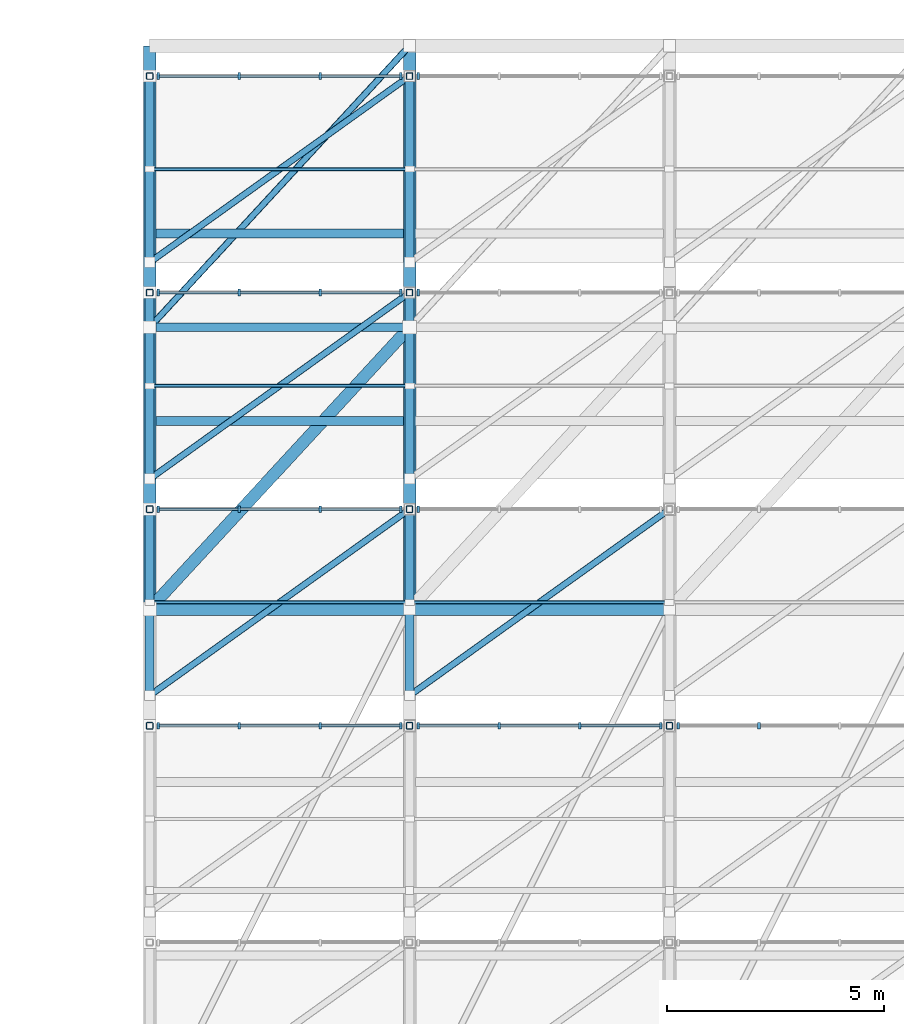
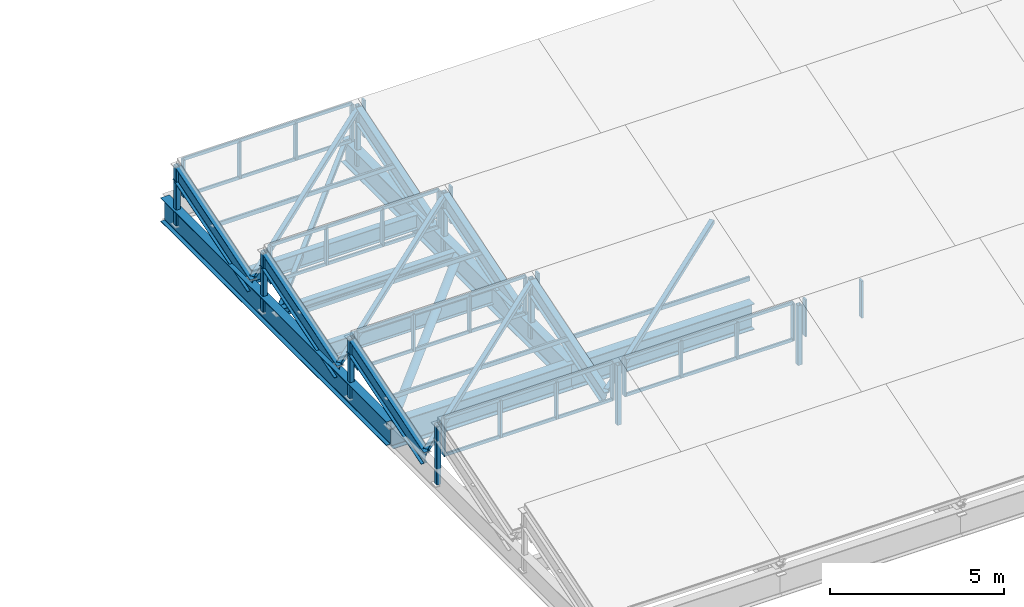
# One storey, part 13 of 48: 54 members, 13 beams, 9 elements without a shape of their own.
"""IFC4 building model written with IfcOpenShell, lengths in metres."""

from ifc_helpers import new_model, si_unit, direction, frame, origin, origin_2d, place, context, subcontext, project, spatial, rectangle, hollow_rectangle, hollow_circle, i_section, extrude, material, layer, layer_set, material_profile, profile_set, type_object, element, aggregate, save


model = new_model("IFC4")

# Units and contexts
model_context = context("Model", 3, precision=1e-05, world=origin(), true_north=direction((0.0, 1.0)))
body_context = subcontext(model_context, "Body", "Model", "MODEL_VIEW")
ifc_project = project(units=[si_unit("LENGTHUNIT", "METRE"), si_unit("AREAUNIT", "SQUARE_METRE"), si_unit("VOLUMEUNIT", "CUBIC_METRE"), si_unit("PLANEANGLEUNIT", "RADIAN"), si_unit("MASSUNIT", "GRAM", prefix="KILO")], contexts=[model_context])

# Site, building, storey
site_placement = place(None, origin())
site = spatial("IfcSite", under=ifc_project, at=site_placement, CompositionType="ELEMENT")
building_placement = place(site_placement, origin())
building = spatial("IfcBuilding", under=site, at=building_placement, Name="Trellovar Central Fire Station", CompositionType="ELEMENT")
storey_placement = place(building_placement, frame((0.0, 0.0, 9.300048828125)))
storey = spatial("IfcBuildingStorey", under=building, at=storey_placement, Name="L03", CompositionType="ELEMENT", Elevation=9.300048828125)

# Beams
ifc_material_1 = material(Name="Steel ASTM A992 Grade 50", Category="steel")
ifc_material_profile_1 = material_profile(ifc_material_1, i_section(OverallWidth=0.3046875, OverallDepth=0.911865234375, WebThickness=0.015869140625, FlangeThickness=0.02392578125, FilletRadius=0.024169921875, at=origin_2d()), Name="W36X150")
ifc_profile_set_1 = profile_set([ifc_material_profile_1], Name="Steel ASTM A992 Grade 50")
beam_type_1 = type_object("IfcBeamType", Name="BM-SW1", PredefinedType="BEAM", material=ifc_profile_set_1)
for number, where, z_axis, x_axis, name in (
    (1, (105.5, 60.0, -0.635986328125), (1.0, 0.0, 0.0), (0.0, 1.0, 0.0), "L03 beam SB-1"),
    (2, (111.5, 60.0, -0.635986328125), (1.0, 0.0, 0.0), (0.0, 1.0, 0.0), "L03 beam SB-1"),
):
    element("IfcBeam", number, at=place(storey_placement, frame(where, z_axis=z_axis, x_axis=x_axis)), inside=storey, type_object=beam_type_1, Name=name, PredefinedType="BEAM", context=body_context, shape_type="SweptSolid", body=[
        extrude(i_section(OverallWidth=0.3046875, OverallDepth=0.911865234375, WebThickness=0.015869140625, FlangeThickness=0.02392578125, FilletRadius=0.024169921875, at=origin_2d()), origin(), (0.0, 0.0, 1.0), 6.0),
    ])
ifc_material_2 = material(Name="Steel ASTM A992 Grade 50", Category="steel")
ifc_material_profile_2 = material_profile(ifc_material_2, i_section(OverallWidth=0.202880859375, OverallDepth=0.251953125, WebThickness=0.008056640625, FlangeThickness=0.013427734375, FilletRadius=0.0126953125, at=origin_2d()), Name="W10X39")
ifc_profile_set_2 = profile_set([ifc_material_profile_2], Name="Steel ASTM A992 Grade 50")
beam_type_2 = type_object("IfcBeamType", Name="BM-SW13", PredefinedType="SPANDREL", material=ifc_profile_set_2)
beam_placement = place(storey_placement, frame((105.64599609375, 66.5, -0.30615234375), z_axis=(1.0, 0.0, 0.0), x_axis=(0.0, 1.0, 0.0)))
element("IfcBeam", 3, at=beam_placement, inside=storey, type_object=beam_type_2, Name="V6 roof spine spandrel", PredefinedType="SPANDREL", context=body_context, shape_type="SweptSolid", body=[
    extrude(i_section(OverallWidth=0.202880859375, OverallDepth=0.251953125, WebThickness=0.008056640625, FlangeThickness=0.013427734375, FilletRadius=0.0126953125, at=origin_2d()), origin(), (0.0, 0.0, 1.0), 5.7080078125),
])
ifc_material_3 = material(Name="Steel ASTM A992 Grade 50", Category="steel")
ifc_material_profile_3 = material_profile(ifc_material_3, i_section(OverallWidth=0.2919921875, OverallDepth=0.8408203125, WebThickness=0.0146484375, FlangeThickness=0.021728515625, FilletRadius=0.020263671875, at=origin_2d()), Name="W33X130")
ifc_profile_set_3 = profile_set([ifc_material_profile_3], Name="Steel ASTM A992 Grade 50")
beam_type_3 = type_object("IfcBeamType", Name="BM-SW2", PredefinedType="BEAM", material=ifc_profile_set_3)
for number, where, z_axis, x_axis, name in (
    (4, (105.5, 60.0, -0.600341796875), (0.0, 1.0, 0.0), (-1.0, 0.0, 0.0), "L03 beam SB-2"),
    (5, (111.5, 60.0, -0.600341796875), (0.0, 1.0, 0.0), (-1.0, 0.0, 0.0), "L03 beam SB-2"),
):
    element("IfcBeam", number, at=place(storey_placement, frame(where, z_axis=z_axis, x_axis=x_axis)), inside=storey, type_object=beam_type_3, Name=name, PredefinedType="BEAM", context=body_context, shape_type="SweptSolid", body=[
        extrude(i_section(OverallWidth=0.2919921875, OverallDepth=0.8408203125, WebThickness=0.0146484375, FlangeThickness=0.021728515625, FilletRadius=0.020263671875, at=origin_2d()), origin(), (0.0, 0.0, 1.0), 13.0),
    ])
ifc_material_4 = material(Name="Steel ASTM A992 Grade 50", Category="steel")
ifc_material_profile_4 = material_profile(ifc_material_4, i_section(OverallWidth=0.209228515625, OverallDepth=0.533447265625, WebThickness=0.01025390625, FlangeThickness=0.015625, FilletRadius=0.013916015625, at=origin_2d()), Name="W21X62")
ifc_profile_set_4 = profile_set([ifc_material_profile_4], Name="Steel ASTM A992 Grade 50")
beam_type_4 = type_object("IfcBeamType", Name="BM-SW7", PredefinedType="BEAM", material=ifc_profile_set_4)
for number, where, z_axis, x_axis, name in (
    (6, (105.64111328125, 64.333251953125, -0.44677734375), (1.0, 0.0, 0.0), (0.0, 1.0, 0.0), "L03 beam SB-7"),
    (7, (105.64111328125, 68.666748046875, -0.44677734375), (1.0, 0.0, 0.0), (0.0, 1.0, 0.0), "L03 beam SB-7"),
):
    element("IfcBeam", number, at=place(storey_placement, frame(where, z_axis=z_axis, x_axis=x_axis)), inside=storey, type_object=beam_type_4, Name=name, PredefinedType="BEAM", context=body_context, shape_type="SweptSolid", body=[
        extrude(i_section(OverallWidth=0.209228515625, OverallDepth=0.533447265625, WebThickness=0.01025390625, FlangeThickness=0.015625, FilletRadius=0.013916015625, at=origin_2d()), origin(), (0.0, 0.0, 1.0), 5.7177734375),
    ])
for number, where, z_axis, x_axis, name in (
    (8, (105.5, 58.0, -0.266845703125), (0.0, 0.954079117135, 0.299554733308), (-1.0, 0.0, 0.0), "Sawtooth steel rafter"),
    (9, (111.5, 58.0, -0.266845703125), (0.0, 0.954079117135, 0.299554733308), (-1.0, 0.0, 0.0), "Sawtooth steel rafter"),
    (10, (105.5, 63.0, -0.266845703125), (0.0, 0.954079117135, 0.299554733308), (-1.0, 0.0, 0.0), "Sawtooth steel rafter"),
    (11, (111.5, 63.0, -0.266845703125), (0.0, 0.954079117135, 0.299554733308), (-1.0, 0.0, 0.0), "Sawtooth steel rafter"),
    (12, (105.5, 68.0, -0.266845703125), (0.0, 0.954079117135, 0.299554733308), (-1.0, 0.0, 0.0), "Sawtooth steel rafter"),
    (13, (111.5, 68.0, -0.266845703125), (0.0, 0.954079117135, 0.299554733308), (-1.0, 0.0, 0.0), "Sawtooth steel rafter"),
):
    element("IfcBeam", number, at=place(storey_placement, frame(where, z_axis=z_axis, x_axis=x_axis)), inside=storey, type_object=beam_type_4, Name=name, PredefinedType="BEAM", context=body_context, shape_type="SweptSolid", body=[
        extrude(i_section(OverallWidth=0.209228515625, OverallDepth=0.533447265625, WebThickness=0.01025390625, FlangeThickness=0.015625, FilletRadius=0.013916015625, at=origin_2d()), origin(), (0.0, 0.0, 1.0), 4.507080078125),
    ])

# Curtain wall, members
ifc_material_5 = material(Name="Thermally broken bronze anodized aluminum", Category="aluminium")
ifc_layer = layer(ifc_material_5, 0.159912109375)
ifc_layer_set = layer_set([ifc_layer], Name="Thermally broken bronze anodized aluminum")
curtain_wall_type = type_object("IfcCurtainWallType", Name="CW-06", PredefinedType="NOTDEFINED", material=ifc_layer_set)
curtain_wall_1_placement = place(storey_placement, origin())
curtain_wall_1 = element("IfcCurtainWall", 14, at=curtain_wall_1_placement, inside=storey, type_object=curtain_wall_type, Name="V6 sawtooth north-light monitor 2-1", PredefinedType="NOTDEFINED")
ifc_material_6 = material(Name="Thermally broken bronze anodized aluminum", Category="aluminium")
ifc_material_profile_5 = material_profile(ifc_material_6, rectangle(XDim=0.06005859375, YDim=0.159912109375, at=origin_2d()), Name="ALU60X160")
ifc_profile_set_5 = profile_set([ifc_material_profile_5], Name="Thermally broken bronze anodized aluminum")
member_type_1 = type_object("IfcMemberType", Name="CWM-3", PredefinedType="MULLION", material=ifc_profile_set_5)
member_1_placement = place(storey_placement, frame((111.300048828125, 57.300048828125, 0.179931640625), z_axis=(0.0, 0.0, 1.0), x_axis=(1.0, 0.0, 0.0)))
member_1 = element("IfcMember", 15, at=member_1_placement, type_object=member_type_1, Name="CW3-L03-0108 mullion 1", PredefinedType="MULLION", context=body_context, shape_type="SweptSolid", body=[
    extrude(rectangle(XDim=0.06005859375, YDim=0.159912109375, at=origin_2d()), origin(), (0.0, 0.0, 1.0), 1.300048828125),
])
member_2_placement = place(storey_placement, frame((109.433349609375, 57.300048828125, 0.179931640625), z_axis=(0.0, 0.0, 1.0), x_axis=(1.0, 0.0, 0.0)))
member_2 = element("IfcMember", 16, at=member_2_placement, type_object=member_type_1, Name="CW3-L03-0108 mullion 2", PredefinedType="MULLION", context=body_context, shape_type="SweptSolid", body=[
    extrude(rectangle(XDim=0.06005859375, YDim=0.159912109375, at=origin_2d()), origin(), (0.0, 0.0, 1.0), 1.300048828125),
])
member_3_placement = place(storey_placement, frame((107.566650390625, 57.300048828125, 0.179931640625), z_axis=(0.0, 0.0, 1.0), x_axis=(1.0, 0.0, 0.0)))
member_3 = element("IfcMember", 17, at=member_3_placement, type_object=member_type_1, Name="CW3-L03-0108 mullion 3", PredefinedType="MULLION", context=body_context, shape_type="SweptSolid", body=[
    extrude(rectangle(XDim=0.06005859375, YDim=0.159912109375, at=origin_2d()), origin(), (0.0, 0.0, 1.0), 1.300048828125),
])
member_4_placement = place(storey_placement, frame((105.699951171875, 57.300048828125, 0.179931640625), z_axis=(0.0, 0.0, 1.0), x_axis=(1.0, 0.0, 0.0)))
member_4 = element("IfcMember", 18, at=member_4_placement, type_object=member_type_1, Name="CW3-L03-0108 mullion 4", PredefinedType="MULLION", context=body_context, shape_type="SweptSolid", body=[
    extrude(rectangle(XDim=0.06005859375, YDim=0.159912109375, at=origin_2d()), origin(), (0.0, 0.0, 1.0), 1.300048828125),
])

curtain_wall_2_placement = place(storey_placement, origin())
curtain_wall_2 = element("IfcCurtainWall", 19, at=curtain_wall_2_placement, inside=storey, type_object=curtain_wall_type, Name="V6 sawtooth north-light monitor 3-1", PredefinedType="NOTDEFINED")
member_5_placement = place(storey_placement, frame((111.300048828125, 62.300048828125, 0.179931640625), z_axis=(0.0, 0.0, 1.0), x_axis=(1.0, 0.0, 0.0)))
member_5 = element("IfcMember", 20, at=member_5_placement, type_object=member_type_1, Name="CW3-L03-0109 mullion 1", PredefinedType="MULLION", context=body_context, shape_type="SweptSolid", body=[
    extrude(rectangle(XDim=0.06005859375, YDim=0.159912109375, at=origin_2d()), origin(), (0.0, 0.0, 1.0), 1.300048828125),
])
member_6_placement = place(storey_placement, frame((109.433349609375, 62.300048828125, 0.179931640625), z_axis=(0.0, 0.0, 1.0), x_axis=(1.0, 0.0, 0.0)))
member_6 = element("IfcMember", 21, at=member_6_placement, type_object=member_type_1, Name="CW3-L03-0109 mullion 2", PredefinedType="MULLION", context=body_context, shape_type="SweptSolid", body=[
    extrude(rectangle(XDim=0.06005859375, YDim=0.159912109375, at=origin_2d()), origin(), (0.0, 0.0, 1.0), 1.300048828125),
])
member_7_placement = place(storey_placement, frame((107.566650390625, 62.300048828125, 0.179931640625), z_axis=(0.0, 0.0, 1.0), x_axis=(1.0, 0.0, 0.0)))
member_7 = element("IfcMember", 22, at=member_7_placement, type_object=member_type_1, Name="CW3-L03-0109 mullion 3", PredefinedType="MULLION", context=body_context, shape_type="SweptSolid", body=[
    extrude(rectangle(XDim=0.06005859375, YDim=0.159912109375, at=origin_2d()), origin(), (0.0, 0.0, 1.0), 1.300048828125),
])
member_8_placement = place(storey_placement, frame((105.699951171875, 62.300048828125, 0.179931640625), z_axis=(0.0, 0.0, 1.0), x_axis=(1.0, 0.0, 0.0)))
member_8 = element("IfcMember", 23, at=member_8_placement, type_object=member_type_1, Name="CW3-L03-0109 mullion 4", PredefinedType="MULLION", context=body_context, shape_type="SweptSolid", body=[
    extrude(rectangle(XDim=0.06005859375, YDim=0.159912109375, at=origin_2d()), origin(), (0.0, 0.0, 1.0), 1.300048828125),
])

curtain_wall_3_placement = place(storey_placement, origin())
curtain_wall_3 = element("IfcCurtainWall", 24, at=curtain_wall_3_placement, inside=storey, type_object=curtain_wall_type, Name="V6 sawtooth north-light monitor 4-1", PredefinedType="NOTDEFINED")
member_9_placement = place(storey_placement, frame((111.300048828125, 67.300048828125, 0.179931640625), z_axis=(0.0, 0.0, 1.0), x_axis=(1.0, 0.0, 0.0)))
member_9 = element("IfcMember", 25, at=member_9_placement, type_object=member_type_1, Name="CW3-L03-0110 mullion 1", PredefinedType="MULLION", context=body_context, shape_type="SweptSolid", body=[
    extrude(rectangle(XDim=0.06005859375, YDim=0.159912109375, at=origin_2d()), origin(), (0.0, 0.0, 1.0), 1.300048828125),
])
member_10_placement = place(storey_placement, frame((109.433349609375, 67.300048828125, 0.179931640625), z_axis=(0.0, 0.0, 1.0), x_axis=(1.0, 0.0, 0.0)))
member_10 = element("IfcMember", 26, at=member_10_placement, type_object=member_type_1, Name="CW3-L03-0110 mullion 2", PredefinedType="MULLION", context=body_context, shape_type="SweptSolid", body=[
    extrude(rectangle(XDim=0.06005859375, YDim=0.159912109375, at=origin_2d()), origin(), (0.0, 0.0, 1.0), 1.300048828125),
])
member_11_placement = place(storey_placement, frame((107.566650390625, 67.300048828125, 0.179931640625), z_axis=(0.0, 0.0, 1.0), x_axis=(1.0, 0.0, 0.0)))
member_11 = element("IfcMember", 27, at=member_11_placement, type_object=member_type_1, Name="CW3-L03-0110 mullion 3", PredefinedType="MULLION", context=body_context, shape_type="SweptSolid", body=[
    extrude(rectangle(XDim=0.06005859375, YDim=0.159912109375, at=origin_2d()), origin(), (0.0, 0.0, 1.0), 1.300048828125),
])
member_12_placement = place(storey_placement, frame((105.699951171875, 67.300048828125, 0.179931640625), z_axis=(0.0, 0.0, 1.0), x_axis=(1.0, 0.0, 0.0)))
member_12 = element("IfcMember", 28, at=member_12_placement, type_object=member_type_1, Name="CW3-L03-0110 mullion 4", PredefinedType="MULLION", context=body_context, shape_type="SweptSolid", body=[
    extrude(rectangle(XDim=0.06005859375, YDim=0.159912109375, at=origin_2d()), origin(), (0.0, 0.0, 1.0), 1.300048828125),
])

curtain_wall_4_placement = place(storey_placement, origin())
curtain_wall_4 = element("IfcCurtainWall", 29, at=curtain_wall_4_placement, inside=storey, type_object=curtain_wall_type, Name="V6 sawtooth north-light monitor 5-1", PredefinedType="NOTDEFINED")
member_13_placement = place(storey_placement, frame((111.300048828125, 72.300048828125, 0.179931640625), z_axis=(0.0, 0.0, 1.0), x_axis=(1.0, 0.0, 0.0)))
member_13 = element("IfcMember", 30, at=member_13_placement, type_object=member_type_1, Name="CW3-L03-0111 mullion 1", PredefinedType="MULLION", context=body_context, shape_type="SweptSolid", body=[
    extrude(rectangle(XDim=0.06005859375, YDim=0.159912109375, at=origin_2d()), origin(), (0.0, 0.0, 1.0), 1.300048828125),
])
member_14_placement = place(storey_placement, frame((109.433349609375, 72.300048828125, 0.179931640625), z_axis=(0.0, 0.0, 1.0), x_axis=(1.0, 0.0, 0.0)))
member_14 = element("IfcMember", 31, at=member_14_placement, type_object=member_type_1, Name="CW3-L03-0111 mullion 2", PredefinedType="MULLION", context=body_context, shape_type="SweptSolid", body=[
    extrude(rectangle(XDim=0.06005859375, YDim=0.159912109375, at=origin_2d()), origin(), (0.0, 0.0, 1.0), 1.300048828125),
])
member_15_placement = place(storey_placement, frame((107.566650390625, 72.300048828125, 0.179931640625), z_axis=(0.0, 0.0, 1.0), x_axis=(1.0, 0.0, 0.0)))
member_15 = element("IfcMember", 32, at=member_15_placement, type_object=member_type_1, Name="CW3-L03-0111 mullion 3", PredefinedType="MULLION", context=body_context, shape_type="SweptSolid", body=[
    extrude(rectangle(XDim=0.06005859375, YDim=0.159912109375, at=origin_2d()), origin(), (0.0, 0.0, 1.0), 1.300048828125),
])
member_16_placement = place(storey_placement, frame((105.699951171875, 72.300048828125, 0.179931640625), z_axis=(0.0, 0.0, 1.0), x_axis=(1.0, 0.0, 0.0)))
member_16 = element("IfcMember", 33, at=member_16_placement, type_object=member_type_1, Name="CW3-L03-0111 mullion 4", PredefinedType="MULLION", context=body_context, shape_type="SweptSolid", body=[
    extrude(rectangle(XDim=0.06005859375, YDim=0.159912109375, at=origin_2d()), origin(), (0.0, 0.0, 1.0), 1.300048828125),
])

curtain_wall_5_placement = place(storey_placement, origin())
curtain_wall_5 = element("IfcCurtainWall", 34, at=curtain_wall_5_placement, inside=storey, type_object=curtain_wall_type, Name="V6 sawtooth north-light monitor 2-2", PredefinedType="NOTDEFINED")
member_17_placement = place(storey_placement, frame((117.300048828125, 57.300048828125, 0.179931640625), z_axis=(0.0, 0.0, 1.0), x_axis=(1.0, 0.0, 0.0)))
member_17 = element("IfcMember", 35, at=member_17_placement, type_object=member_type_1, Name="CW3-L03-0116 mullion 1", PredefinedType="MULLION", context=body_context, shape_type="SweptSolid", body=[
    extrude(rectangle(XDim=0.06005859375, YDim=0.159912109375, at=origin_2d()), origin(), (0.0, 0.0, 1.0), 1.300048828125),
])
member_18_placement = place(storey_placement, frame((115.433349609375, 57.300048828125, 0.179931640625), z_axis=(0.0, 0.0, 1.0), x_axis=(1.0, 0.0, 0.0)))
member_18 = element("IfcMember", 36, at=member_18_placement, type_object=member_type_1, Name="CW3-L03-0116 mullion 2", PredefinedType="MULLION", context=body_context, shape_type="SweptSolid", body=[
    extrude(rectangle(XDim=0.06005859375, YDim=0.159912109375, at=origin_2d()), origin(), (0.0, 0.0, 1.0), 1.300048828125),
])
member_19_placement = place(storey_placement, frame((113.566650390625, 57.300048828125, 0.179931640625), z_axis=(0.0, 0.0, 1.0), x_axis=(1.0, 0.0, 0.0)))
member_19 = element("IfcMember", 37, at=member_19_placement, type_object=member_type_1, Name="CW3-L03-0116 mullion 3", PredefinedType="MULLION", context=body_context, shape_type="SweptSolid", body=[
    extrude(rectangle(XDim=0.06005859375, YDim=0.159912109375, at=origin_2d()), origin(), (0.0, 0.0, 1.0), 1.300048828125),
])
member_20_placement = place(storey_placement, frame((111.699951171875, 57.300048828125, 0.179931640625), z_axis=(0.0, 0.0, 1.0), x_axis=(1.0, 0.0, 0.0)))
member_20 = element("IfcMember", 38, at=member_20_placement, type_object=member_type_1, Name="CW3-L03-0116 mullion 4", PredefinedType="MULLION", context=body_context, shape_type="SweptSolid", body=[
    extrude(rectangle(XDim=0.06005859375, YDim=0.159912109375, at=origin_2d()), origin(), (0.0, 0.0, 1.0), 1.300048828125),
])

# Curtain wall, member
curtain_wall_6_placement = place(storey_placement, origin())
curtain_wall_6 = element("IfcCurtainWall", 39, at=curtain_wall_6_placement, inside=storey, type_object=curtain_wall_type, Name="V6 sawtooth north-light monitor 3-2", PredefinedType="NOTDEFINED")
member_21_placement = place(storey_placement, frame((111.699951171875, 62.300048828125, 0.179931640625), z_axis=(0.0, 0.0, 1.0), x_axis=(1.0, 0.0, 0.0)))
member_21 = element("IfcMember", 40, at=member_21_placement, type_object=member_type_1, Name="CW3-L03-0117 mullion 4", PredefinedType="MULLION", context=body_context, shape_type="SweptSolid", body=[
    extrude(rectangle(XDim=0.06005859375, YDim=0.159912109375, at=origin_2d()), origin(), (0.0, 0.0, 1.0), 1.300048828125),
])
aggregate(curtain_wall_6, [member_21])

curtain_wall_7_placement = place(storey_placement, origin())
curtain_wall_7 = element("IfcCurtainWall", 41, at=curtain_wall_7_placement, inside=storey, type_object=curtain_wall_type, Name="V6 sawtooth north-light monitor 4-2", PredefinedType="NOTDEFINED")
member_22_placement = place(storey_placement, frame((111.699951171875, 67.300048828125, 0.179931640625), z_axis=(0.0, 0.0, 1.0), x_axis=(1.0, 0.0, 0.0)))
member_22 = element("IfcMember", 42, at=member_22_placement, type_object=member_type_1, Name="CW3-L03-0118 mullion 4", PredefinedType="MULLION", context=body_context, shape_type="SweptSolid", body=[
    extrude(rectangle(XDim=0.06005859375, YDim=0.159912109375, at=origin_2d()), origin(), (0.0, 0.0, 1.0), 1.300048828125),
])
aggregate(curtain_wall_7, [member_22])

curtain_wall_8_placement = place(storey_placement, origin())
curtain_wall_8 = element("IfcCurtainWall", 43, at=curtain_wall_8_placement, inside=storey, type_object=curtain_wall_type, Name="V6 sawtooth north-light monitor 5-2", PredefinedType="NOTDEFINED")
member_23_placement = place(storey_placement, frame((111.699951171875, 72.300048828125, 0.179931640625), z_axis=(0.0, 0.0, 1.0), x_axis=(1.0, 0.0, 0.0)))
member_23 = element("IfcMember", 44, at=member_23_placement, type_object=member_type_1, Name="CW3-L03-0119 mullion 4", PredefinedType="MULLION", context=body_context, shape_type="SweptSolid", body=[
    extrude(rectangle(XDim=0.06005859375, YDim=0.159912109375, at=origin_2d()), origin(), (0.0, 0.0, 1.0), 1.300048828125),
])
aggregate(curtain_wall_8, [member_23])

# Curtain wall, members
curtain_wall_9_placement = place(storey_placement, origin())
curtain_wall_9 = element("IfcCurtainWall", 45, at=curtain_wall_9_placement, inside=storey, type_object=curtain_wall_type, Name="V6 sawtooth north-light monitor 2-3", PredefinedType="NOTDEFINED")
member_24_placement = place(storey_placement, frame((119.566650390625, 57.300048828125, 0.179931640625), z_axis=(0.0, 0.0, 1.0), x_axis=(1.0, 0.0, 0.0)))
member_24 = element("IfcMember", 46, at=member_24_placement, type_object=member_type_1, Name="CW3-L03-0124 mullion 3", PredefinedType="MULLION", context=body_context, shape_type="SweptSolid", body=[
    extrude(rectangle(XDim=0.06005859375, YDim=0.159912109375, at=origin_2d()), origin(), (0.0, 0.0, 1.0), 1.300048828125),
])
member_25_placement = place(storey_placement, frame((117.699951171875, 57.300048828125, 0.179931640625), z_axis=(0.0, 0.0, 1.0), x_axis=(1.0, 0.0, 0.0)))
member_25 = element("IfcMember", 47, at=member_25_placement, type_object=member_type_1, Name="CW3-L03-0124 mullion 4", PredefinedType="MULLION", context=body_context, shape_type="SweptSolid", body=[
    extrude(rectangle(XDim=0.06005859375, YDim=0.159912109375, at=origin_2d()), origin(), (0.0, 0.0, 1.0), 1.300048828125),
])
aggregate(curtain_wall_9, [member_24, member_25])

# Member
ifc_material_7 = material(Name="Thermally broken bronze anodized aluminum", Category="aluminium")
ifc_material_profile_6 = material_profile(ifc_material_7, rectangle(XDim=0.054931640625, YDim=0.110107421875, at=origin_2d()), Name="ALU55X110")
ifc_profile_set_6 = profile_set([ifc_material_profile_6], Name="Thermally broken bronze anodized aluminum")
member_type_2 = type_object("IfcMemberType", Name="CWT-3", PredefinedType="USERDEFINED", material=ifc_profile_set_6)
member_26_placement = place(storey_placement, frame((111.300048828125, 57.300048828125, 0.179931640625), z_axis=(-1.0, 0.0, 0.0), x_axis=(0.0, -1.0, 0.0)))
member_26 = element("IfcMember", 48, at=member_26_placement, type_object=member_type_2, Name="CW3-L03-0108 transom 1", ObjectType="TRANSOM", PredefinedType="USERDEFINED", context=body_context, shape_type="SweptSolid", body=[
    extrude(rectangle(XDim=0.054931640625, YDim=0.110107421875, at=origin_2d()), origin(), (0.0, 0.0, 1.0), 5.60009765625),
])

member_27_placement = place(storey_placement, frame((111.300048828125, 57.300048828125, 1.47998046875), z_axis=(-1.0, 0.0, 0.0), x_axis=(0.0, -1.0, 0.0)))
member_27 = element("IfcMember", 49, at=member_27_placement, type_object=member_type_2, Name="CW3-L03-0108 transom 2", ObjectType="TRANSOM", PredefinedType="USERDEFINED", context=body_context, shape_type="SweptSolid", body=[
    extrude(rectangle(XDim=0.054931640625, YDim=0.110107421875, at=origin_2d()), origin(), (0.0, 0.0, 1.0), 5.60009765625),
])

aggregate(curtain_wall_1, [member_1, member_2, member_3, member_4, member_26, member_27])

member_28_placement = place(storey_placement, frame((111.300048828125, 62.300048828125, 0.179931640625), z_axis=(-1.0, 0.0, 0.0), x_axis=(0.0, -1.0, 0.0)))
member_28 = element("IfcMember", 50, at=member_28_placement, type_object=member_type_2, Name="CW3-L03-0109 transom 1", ObjectType="TRANSOM", PredefinedType="USERDEFINED", context=body_context, shape_type="SweptSolid", body=[
    extrude(rectangle(XDim=0.054931640625, YDim=0.110107421875, at=origin_2d()), origin(), (0.0, 0.0, 1.0), 5.60009765625),
])

member_29_placement = place(storey_placement, frame((111.300048828125, 62.300048828125, 1.47998046875), z_axis=(-1.0, 0.0, 0.0), x_axis=(0.0, -1.0, 0.0)))
member_29 = element("IfcMember", 51, at=member_29_placement, type_object=member_type_2, Name="CW3-L03-0109 transom 2", ObjectType="TRANSOM", PredefinedType="USERDEFINED", context=body_context, shape_type="SweptSolid", body=[
    extrude(rectangle(XDim=0.054931640625, YDim=0.110107421875, at=origin_2d()), origin(), (0.0, 0.0, 1.0), 5.60009765625),
])

aggregate(curtain_wall_2, [member_5, member_6, member_7, member_8, member_28, member_29])

member_30_placement = place(storey_placement, frame((111.300048828125, 67.300048828125, 0.179931640625), z_axis=(-1.0, 0.0, 0.0), x_axis=(0.0, -1.0, 0.0)))
member_30 = element("IfcMember", 52, at=member_30_placement, type_object=member_type_2, Name="CW3-L03-0110 transom 1", ObjectType="TRANSOM", PredefinedType="USERDEFINED", context=body_context, shape_type="SweptSolid", body=[
    extrude(rectangle(XDim=0.054931640625, YDim=0.110107421875, at=origin_2d()), origin(), (0.0, 0.0, 1.0), 5.60009765625),
])

member_31_placement = place(storey_placement, frame((111.300048828125, 67.300048828125, 1.47998046875), z_axis=(-1.0, 0.0, 0.0), x_axis=(0.0, -1.0, 0.0)))
member_31 = element("IfcMember", 53, at=member_31_placement, type_object=member_type_2, Name="CW3-L03-0110 transom 2", ObjectType="TRANSOM", PredefinedType="USERDEFINED", context=body_context, shape_type="SweptSolid", body=[
    extrude(rectangle(XDim=0.054931640625, YDim=0.110107421875, at=origin_2d()), origin(), (0.0, 0.0, 1.0), 5.60009765625),
])

aggregate(curtain_wall_3, [member_9, member_10, member_11, member_12, member_30, member_31])

member_32_placement = place(storey_placement, frame((111.300048828125, 72.300048828125, 0.179931640625), z_axis=(-1.0, 0.0, 0.0), x_axis=(0.0, -1.0, 0.0)))
member_32 = element("IfcMember", 54, at=member_32_placement, type_object=member_type_2, Name="CW3-L03-0111 transom 1", ObjectType="TRANSOM", PredefinedType="USERDEFINED", context=body_context, shape_type="SweptSolid", body=[
    extrude(rectangle(XDim=0.054931640625, YDim=0.110107421875, at=origin_2d()), origin(), (0.0, 0.0, 1.0), 5.60009765625),
])

member_33_placement = place(storey_placement, frame((111.300048828125, 72.300048828125, 1.47998046875), z_axis=(-1.0, 0.0, 0.0), x_axis=(0.0, -1.0, 0.0)))
member_33 = element("IfcMember", 55, at=member_33_placement, type_object=member_type_2, Name="CW3-L03-0111 transom 2", ObjectType="TRANSOM", PredefinedType="USERDEFINED", context=body_context, shape_type="SweptSolid", body=[
    extrude(rectangle(XDim=0.054931640625, YDim=0.110107421875, at=origin_2d()), origin(), (0.0, 0.0, 1.0), 5.60009765625),
])

aggregate(curtain_wall_4, [member_13, member_14, member_15, member_16, member_32, member_33])

member_34_placement = place(storey_placement, frame((117.300048828125, 57.300048828125, 0.179931640625), z_axis=(-1.0, 0.0, 0.0), x_axis=(0.0, -1.0, 0.0)))
member_34 = element("IfcMember", 56, at=member_34_placement, type_object=member_type_2, Name="CW3-L03-0116 transom 1", ObjectType="TRANSOM", PredefinedType="USERDEFINED", context=body_context, shape_type="SweptSolid", body=[
    extrude(rectangle(XDim=0.054931640625, YDim=0.110107421875, at=origin_2d()), origin(), (0.0, 0.0, 1.0), 5.60009765625),
])

member_35_placement = place(storey_placement, frame((117.300048828125, 57.300048828125, 1.47998046875), z_axis=(-1.0, 0.0, 0.0), x_axis=(0.0, -1.0, 0.0)))
member_35 = element("IfcMember", 57, at=member_35_placement, type_object=member_type_2, Name="CW3-L03-0116 transom 2", ObjectType="TRANSOM", PredefinedType="USERDEFINED", context=body_context, shape_type="SweptSolid", body=[
    extrude(rectangle(XDim=0.054931640625, YDim=0.110107421875, at=origin_2d()), origin(), (0.0, 0.0, 1.0), 5.60009765625),
])

aggregate(curtain_wall_5, [member_17, member_18, member_19, member_20, member_34, member_35])

# Members
ifc_material_8 = material(Name="Steel ASTM A500 Grade C", Category="steel")
ifc_material_profile_7 = material_profile(ifc_material_8, hollow_rectangle(XDim=0.15234375, YDim=0.15234375, WallThickness=0.005859375, InnerFilletRadius=0.005859375, OuterFilletRadius=0.01171875, at=origin_2d()), Name="HSS6X6X1/4")
ifc_profile_set_7 = profile_set([ifc_material_profile_7], Name="Steel ASTM A500 Grade C")
member_type_3 = type_object("IfcMemberType", Name="MEM-BR1", PredefinedType="BRACE", material=ifc_profile_set_7)
for number, where, z_axis, x_axis, name in (
    (58, (105.5, 58.0, -0.02001953125), (0.801405151762, 0.574346880614, 0.166959406617), (-0.582523311563, 0.812813995626, 0.0), "Sawtooth roof plane diagonal brace"),
    (59, (111.5, 58.0, -0.02001953125), (0.801405151762, 0.574346880614, 0.166959406617), (-0.582523311563, 0.812813995626, 0.0), "Sawtooth roof plane diagonal brace"),
    (60, (105.5, 63.0, -0.02001953125), (0.801405151762, 0.574346880614, 0.166959406617), (-0.582523311563, 0.812813995626, 0.0), "Sawtooth roof plane diagonal brace"),
    (61, (105.5, 68.0, -0.02001953125), (0.801405151762, 0.574346880614, 0.166959406617), (-0.582523311563, 0.812813995626, 0.0), "Sawtooth roof plane diagonal brace"),
):
    element("IfcMember", number, at=place(storey_placement, frame(where, z_axis=z_axis, x_axis=x_axis)), inside=storey, type_object=member_type_3, Name=name, PredefinedType="BRACE", context=body_context, shape_type="SweptSolid", body=[
        extrude(hollow_rectangle(XDim=0.15234375, YDim=0.15234375, WallThickness=0.005859375, InnerFilletRadius=0.005859375, OuterFilletRadius=0.01171875, at=origin_2d()), origin(), (0.0, 0.0, 1.0), 7.48681640625),
    ])
ifc_material_9 = material(Name="Steel ASTM A500 Grade C", Category="steel")
ifc_material_profile_8 = material_profile(ifc_material_9, hollow_circle(Radius=0.136474609375, WallThickness=0.01171875, at=origin_2d()), Name="HSS10.750X0.500")
ifc_profile_set_8 = profile_set([ifc_material_profile_8], Name="Steel ASTM A500 Grade C")
member_type_4 = type_object("IfcMemberType", Name="MEM-BR4", PredefinedType="BRACE", material=ifc_profile_set_8)
member_36_placement = place(storey_placement, frame((105.5, 60.0, -0.35009765625), z_axis=(0.678280102733, 0.734803444627, 0.0), x_axis=(-0.734803444627, 0.678280102733, 0.0)))
element("IfcMember", 62, at=member_36_placement, inside=storey, type_object=member_type_4, Name="V6 roof diaphragm brace", PredefinedType="BRACE", context=body_context, shape_type="SweptSolid", body=[
    extrude(hollow_circle(Radius=0.136474609375, WallThickness=0.01171875, at=origin_2d()), origin(), (0.0, 0.0, 1.0), 8.845947265625),
])
ifc_material_10 = material(Name="Steel ASTM A500 Grade C", Category="steel")
ifc_material_profile_9 = material_profile(ifc_material_10, hollow_rectangle(XDim=0.15234375, YDim=0.15234375, WallThickness=0.0087890625, InnerFilletRadius=0.0087890625, OuterFilletRadius=0.017822265625, at=origin_2d()), Name="HSS6X6X3/8")
ifc_profile_set_9 = profile_set([ifc_material_profile_9], Name="Steel ASTM A500 Grade C")
member_type_5 = type_object("IfcMemberType", Name="MEM-CH2", PredefinedType="CHORD", material=ifc_profile_set_9)
member_37_placement = place(storey_placement, frame((105.5, 66.5, -0.35009765625), z_axis=(0.678280102733, 0.734803444627, 0.0), x_axis=(-0.734803444627, 0.678280102733, 0.0)))
element("IfcMember", 63, at=member_37_placement, inside=storey, type_object=member_type_5, Name="V6 roof diaphragm chord", PredefinedType="CHORD", context=body_context, shape_type="SweptSolid", body=[
    extrude(hollow_rectangle(XDim=0.15234375, YDim=0.15234375, WallThickness=0.0087890625, InnerFilletRadius=0.0087890625, OuterFilletRadius=0.017822265625, at=origin_2d()), origin(), (0.0, 0.0, 1.0), 8.845947265625),
])
ifc_material_11 = material(Name="Steel ASTM A500 Grade C", Category="steel")
ifc_material_profile_10 = material_profile(ifc_material_11, hollow_rectangle(XDim=0.076171875, YDim=0.15234375, WallThickness=0.005859375, InnerFilletRadius=0.005859375, OuterFilletRadius=0.01171875, at=origin_2d()), Name="HSS6X3X1/4")
ifc_profile_set_10 = profile_set([ifc_material_profile_10], Name="Steel ASTM A500 Grade C")
member_type_6 = type_object("IfcMemberType", Name="MEM-PU2", PredefinedType="PURLIN", material=ifc_profile_set_10)
for number, where, z_axis, x_axis, name in (
    (64, (105.5, 60.14990234375, 0.530029296875), (1.0, 0.0, 0.0), (0.0, 1.0, 0.0), "Sawtooth steel purlin"),
    (65, (111.5, 60.14990234375, 0.530029296875), (1.0, 0.0, 0.0), (0.0, 1.0, 0.0), "Sawtooth steel purlin"),
    (66, (105.5, 65.14990234375, 0.530029296875), (1.0, 0.0, 0.0), (0.0, 1.0, 0.0), "Sawtooth steel purlin"),
    (67, (105.5, 70.14990234375, 0.530029296875), (1.0, 0.0, 0.0), (0.0, 1.0, 0.0), "Sawtooth steel purlin"),
):
    element("IfcMember", number, at=place(storey_placement, frame(where, z_axis=z_axis, x_axis=x_axis)), inside=storey, type_object=member_type_6, Name=name, PredefinedType="PURLIN", context=body_context, shape_type="SweptSolid", body=[
        extrude(hollow_rectangle(XDim=0.076171875, YDim=0.15234375, WallThickness=0.005859375, InnerFilletRadius=0.005859375, OuterFilletRadius=0.01171875, at=origin_2d()), origin(), (0.0, 0.0, 1.0), 6.0),
    ])
ifc_material_12 = material(Name="Steel ASTM A500 Grade C", Category="steel")
ifc_material_profile_11 = material_profile(ifc_material_12, hollow_rectangle(XDim=0.15234375, YDim=0.15234375, WallThickness=0.0087890625, InnerFilletRadius=0.0087890625, OuterFilletRadius=0.017822265625, at=origin_2d()), Name="HSS6X6X3/8")
ifc_profile_set_11 = profile_set([ifc_material_profile_11], Name="Steel ASTM A500 Grade C")
member_type_7 = type_object("IfcMemberType", Name="MEM-ST1", PredefinedType="STRUT", material=ifc_profile_set_11)
for number, where, z_axis, x_axis, name in (
    (68, (105.5, 57.300048828125, -0.75), (0.0, 0.0, 1.0), (1.0, 0.0, 0.0), "Sawtooth monitor vertical post"),
    (69, (111.5, 57.300048828125, -0.75), (0.0, 0.0, 1.0), (1.0, 0.0, 0.0), "Sawtooth monitor vertical post"),
    (70, (117.5, 57.300048828125, -0.75), (0.0, 0.0, 1.0), (1.0, 0.0, 0.0), "Sawtooth monitor vertical post"),
    (71, (105.5, 62.300048828125, -0.75), (0.0, 0.0, 1.0), (1.0, 0.0, 0.0), "Sawtooth monitor vertical post"),
    (72, (111.5, 62.300048828125, -0.75), (0.0, 0.0, 1.0), (1.0, 0.0, 0.0), "Sawtooth monitor vertical post"),
    (73, (105.5, 67.300048828125, -0.75), (0.0, 0.0, 1.0), (1.0, 0.0, 0.0), "Sawtooth monitor vertical post"),
    (74, (111.5, 67.300048828125, -0.75), (0.0, 0.0, 1.0), (1.0, 0.0, 0.0), "Sawtooth monitor vertical post"),
    (75, (105.5, 72.300048828125, -0.75), (0.0, 0.0, 1.0), (1.0, 0.0, 0.0), "Sawtooth monitor vertical post"),
    (76, (111.5, 72.300048828125, -0.75), (0.0, 0.0, 1.0), (1.0, 0.0, 0.0), "Sawtooth monitor vertical post"),
):
    element("IfcMember", number, at=place(storey_placement, frame(where, z_axis=z_axis, x_axis=x_axis)), inside=storey, type_object=member_type_7, Name=name, PredefinedType="STRUT", context=body_context, shape_type="SweptSolid", body=[
        extrude(hollow_rectangle(XDim=0.15234375, YDim=0.15234375, WallThickness=0.0087890625, InnerFilletRadius=0.0087890625, OuterFilletRadius=0.017822265625, at=origin_2d()), origin(), (0.0, 0.0, 1.0), 2.099853515625),
    ])

save(model, "model.ifc")
